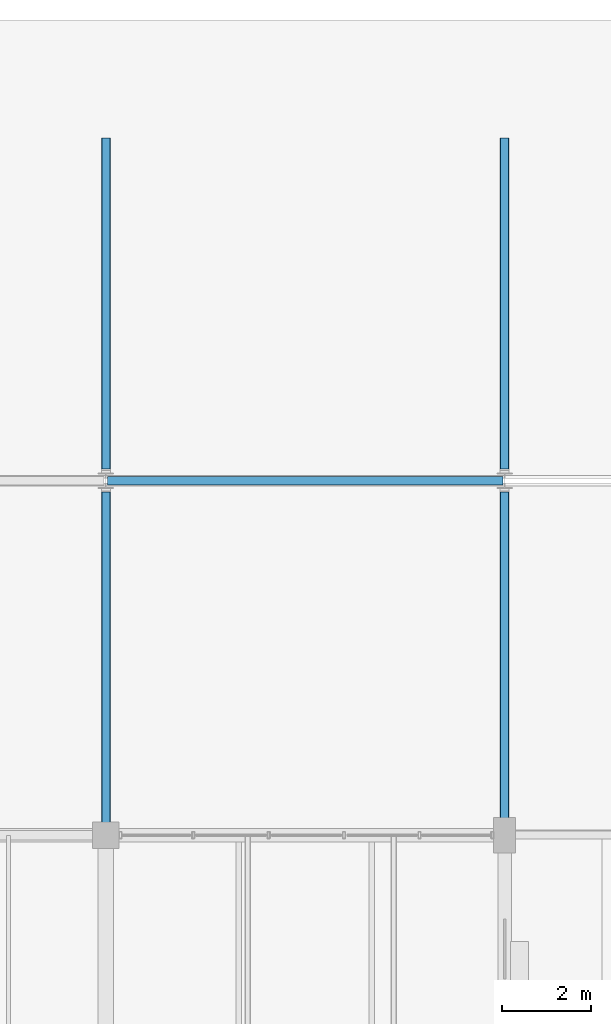
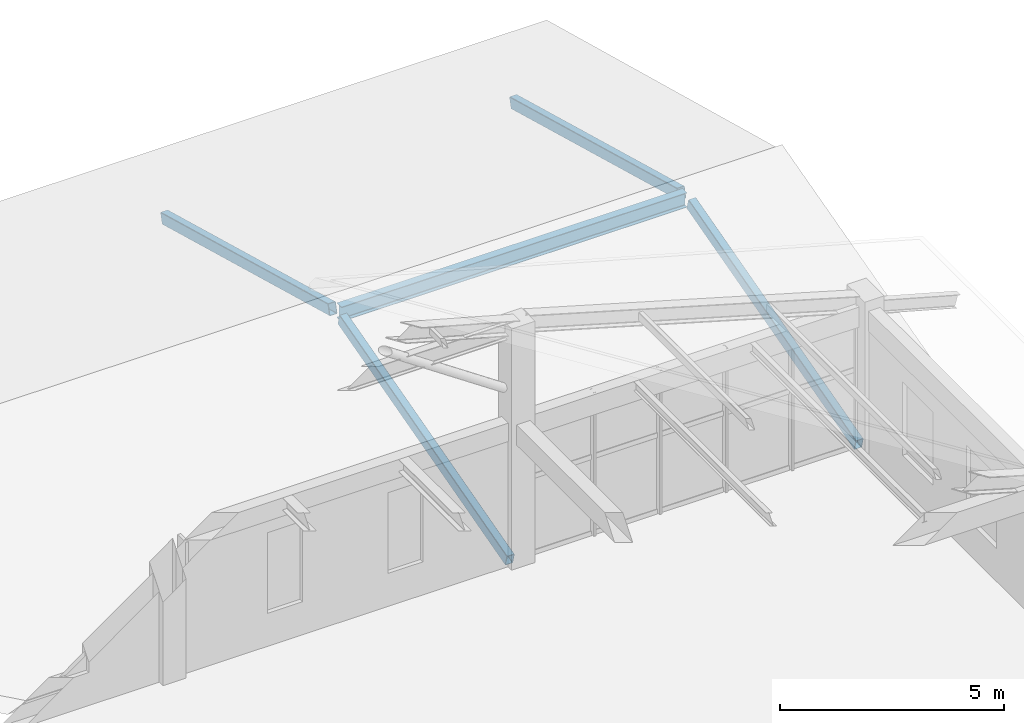
# One storey, part 42 of 58: 4 members, 1 beam.
"""IFC4 building model written with IfcOpenShell, lengths in metres."""

from ifc_helpers import new_model, si_unit, derived_unit, direction, frame, origin, origin_2d, place, context, subcontext, project, spatial, hollow_rectangle, i_section, extrude, material, material_profile, profile_set, type_object, element, save


model = new_model("IFC4")

# Units and contexts
model_context = context("Model", 3, precision=1e-05, world=origin(), true_north=direction((0.0, 1.0)))
body_context = subcontext(model_context, "Body", "Model", "MODEL_VIEW")
ifc_project = project(units=[si_unit("LENGTHUNIT", "METRE"), si_unit("AREAUNIT", "SQUARE_METRE"), si_unit("VOLUMEUNIT", "CUBIC_METRE"), si_unit("PLANEANGLEUNIT", "RADIAN"), si_unit("MASSUNIT", "GRAM", prefix="KILO"), derived_unit("THERMALTRANSMITTANCEUNIT", [(si_unit("MASSUNIT", "GRAM", prefix="KILO"), 1), (si_unit("TIMEUNIT", "SECOND"), -3), (si_unit("THERMODYNAMICTEMPERATUREUNIT", "KELVIN"), -1)])], contexts=[model_context])

# Site, building, storey
site_placement = place(None, origin())
site = spatial("IfcSite", under=ifc_project, at=site_placement, CompositionType="ELEMENT")
building_placement = place(site_placement, origin())
building = spatial("IfcBuilding", under=site, at=building_placement, Name="Zhenchuan Archway Interchange", CompositionType="ELEMENT")
storey_placement = place(building_placement, frame((0.0, 0.0, 22.800048828125)))
storey = spatial("IfcBuildingStorey", under=building, at=storey_placement, Name="L05", CompositionType="ELEMENT", Elevation=22.800048828125)

# Beam
ifc_material = material(Name="Steel Q355", Category="steel")
ifc_material_profile_1 = material_profile(ifc_material, i_section(OverallWidth=0.199951171875, OverallDepth=0.39990234375, WebThickness=0.008056640625, FlangeThickness=0.012939453125, FilletRadius=0.01611328125, at=origin_2d()), Name="HN 400x200")
ifc_profile_set_1 = profile_set([ifc_material_profile_1], Name="Steel Q355")
beam_type = type_object("IfcBeamType", Name="BM_STL_GABLE_HN400", PredefinedType="BEAM", material=ifc_profile_set_1)
beam_placement = place(storey_placement, frame((162.0400390625, 96.0, 1.8798828125), z_axis=(1.0, 0.0, 0.0), x_axis=(0.0, 1.0, 0.0)))
element("IfcBeam", 1, at=beam_placement, inside=storey, type_object=beam_type, Name="East bar N ridge beam 3", PredefinedType="BEAM", context=body_context, shape_type="SweptSolid", body=[
    extrude(i_section(OverallWidth=0.199951171875, OverallDepth=0.39990234375, WebThickness=0.008056640625, FlangeThickness=0.012939453125, FilletRadius=0.01611328125, at=origin_2d()), origin(), (0.0, 0.0, 1.0), 8.919921875),
])

# Members
ifc_material_profile_2 = material_profile(ifc_material, hollow_rectangle(XDim=0.199951171875, YDim=0.300048828125, WallThickness=0.010009765625, InnerFilletRadius=0.010009765625, OuterFilletRadius=0.02001953125, at=origin_2d()), Name="RHS 300x200x10")
ifc_profile_set_2 = profile_set([ifc_material_profile_2], Name="Steel Q355")
member_type = type_object("IfcMemberType", Name="MB_RHS300", PredefinedType="CHORD", material=ifc_profile_set_2)
for number, where, z_axis, x_axis, name in (
    (2, (162.0, 88.300048828125, -0.179931640625), (0.0, 0.964770361033, 0.263093425368), (-1.0, 0.0, 0.0), "East bar N rafter X162-1"),
    (3, (162.0, 96.219970703125, 1.85986328125), (0.0, 0.964770361033, -0.263093425368), (-1.0, 0.0, 0.0), "East bar N rafter X162-2"),
    (4, (171.0, 88.300048828125, -0.179931640625), (0.0, 0.964770361033, 0.263093425368), (-1.0, 0.0, 0.0), "East bar N rafter X171-1"),
    (5, (171.0, 96.219970703125, 1.85986328125), (0.0, 0.964770361033, -0.263093425368), (-1.0, 0.0, 0.0), "East bar N rafter X171-2"),
):
    element("IfcMember", number, at=place(storey_placement, frame(where, z_axis=z_axis, x_axis=x_axis)), inside=storey, type_object=member_type, Name=name, PredefinedType="CHORD", context=body_context, shape_type="SweptSolid", body=[
        extrude(hollow_rectangle(XDim=0.199951171875, YDim=0.300048828125, WallThickness=0.010009765625, InnerFilletRadius=0.010009765625, OuterFilletRadius=0.02001953125, at=origin_2d()), origin(), (0.0, 0.0, 1.0), 7.753173828125),
    ])

save(model, "model.ifc")
